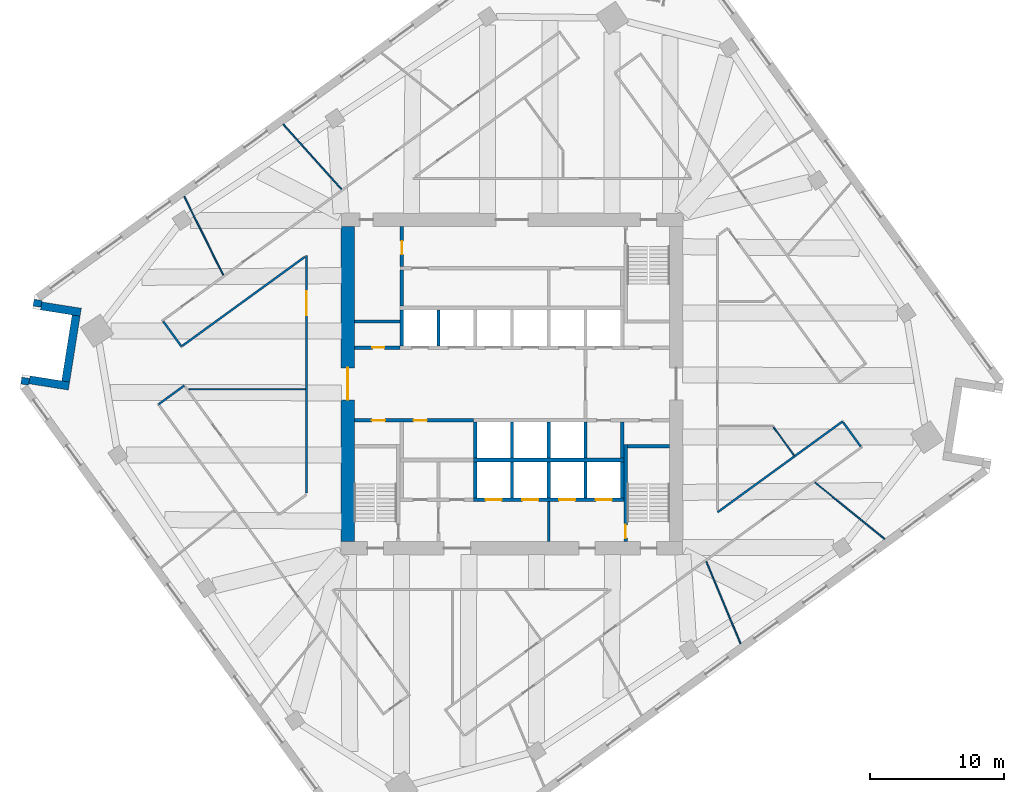
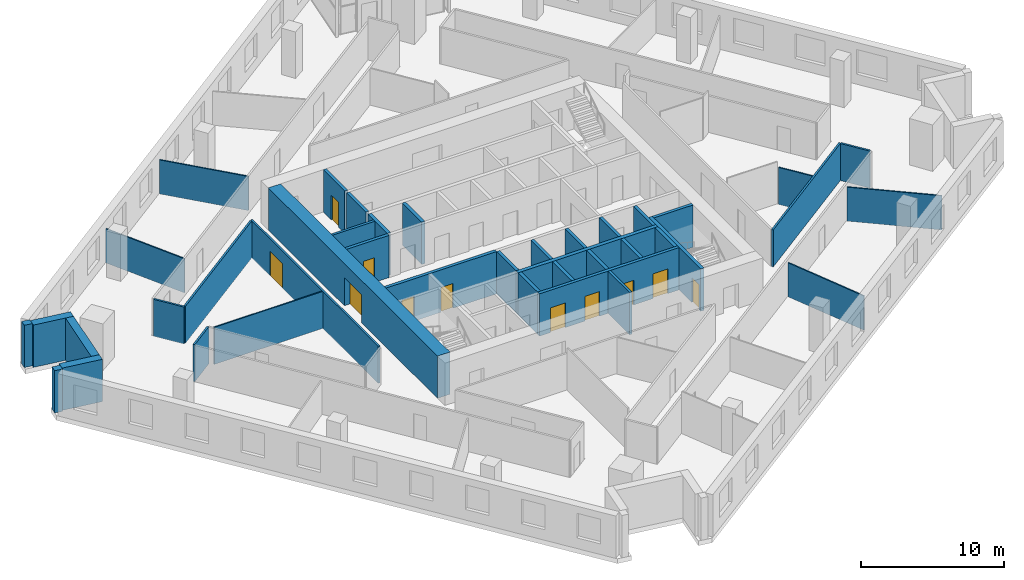
# One storey, part 6 of 11: 40 walls, 11 doors, 11 openings.
"""IFC4 building model written with IfcOpenShell, lengths in metres."""

from ifc_helpers import new_model, si_unit, direction, frame, frame_2d, origin, place, context, subcontext, project, spatial, rectangle, extrude, material, layer, layer_set, type_object, element, fill, save


model = new_model("IFC4")

# Units and contexts
model_context = context("Model", 3, precision=1e-05, world=origin(), true_north=direction((0.0, 1.0)))
body_context = subcontext(model_context, "Body", "Model", "MODEL_VIEW")
ifc_project = project(units=[si_unit("LENGTHUNIT", "METRE"), si_unit("AREAUNIT", "SQUARE_METRE"), si_unit("VOLUMEUNIT", "CUBIC_METRE"), si_unit("PLANEANGLEUNIT", "RADIAN"), si_unit("MASSUNIT", "GRAM", prefix="KILO")], contexts=[model_context])

# Site, building, storey
site_placement = place(None, origin())
site = spatial("IfcSite", under=ifc_project, at=site_placement, CompositionType="ELEMENT")
building_placement = place(site_placement, origin())
building = spatial("IfcBuilding", under=site, at=building_placement, Name="Dilmun Exchange Tower", CompositionType="ELEMENT")
storey_placement = place(building_placement, frame((0.0, 0.0, 171.699951171875)))
storey = spatial("IfcBuildingStorey", under=building, at=storey_placement, Name="L40", CompositionType="ELEMENT", Elevation=171.699951171875)

# Walls
ifc_material_1 = material(Name="Concrete C40/50", Category="concrete")
ifc_layer_1 = layer(ifc_material_1, 0.199951171875)
ifc_layer_set_1 = layer_set([ifc_layer_1], Name="Concrete C40/50")
wall_type_1 = type_object("IfcWallType", Name="Core partition wall 200", PredefinedType="PARTITIONING", material=ifc_layer_set_1)
wall_1_placement = place(storey_placement, frame((2.75, -11.794921875, 0.0), z_axis=(0.0, 0.0, 1.0), x_axis=(0.0, 1.0, 0.0)))
element("IfcWall", 1, at=wall_1_placement, inside=storey, type_object=wall_type_1, Name="L40 core partition wall 02", PredefinedType="PARTITIONING", context=body_context, shape_type="SweptSolid", body=[
    extrude(rectangle(XDim=2.989990234375, YDim=0.199951171875, at=frame_2d((1.4951171875, 0.0))), origin(), (0.0, 0.0, 1.0), 3.60009765625),
])
wall_2_placement = place(storey_placement, frame((-11.794921875, 4.675048828125, 0.0), z_axis=(0.0, 0.0, 1.0), x_axis=(1.0, 0.0, 0.0)))
element("IfcWall", 2, at=wall_2_placement, inside=storey, type_object=wall_type_1, Name="L40 core partition wall 14", PredefinedType="PARTITIONING", context=body_context, shape_type="SweptSolid", body=[
    extrude(rectangle(XDim=3.4150390625, YDim=0.199951171875, at=frame_2d((1.70751953125, 0.0))), origin(), (0.0, 0.0, 1.0), 3.60009765625),
])
ifc_layer_2 = layer(ifc_material_1, 0.25)
ifc_layer_set_2 = layer_set([ifc_layer_2], Name="Concrete C40/50")
wall_type_2 = type_object("IfcWallType", Name="Core partition wall 250", PredefinedType="PARTITIONING", material=ifc_layer_set_2)
wall_3_placement = place(storey_placement, frame((8.25, -5.544921875, 0.0), z_axis=(0.0, 0.0, 1.0), x_axis=(0.0, 1.0, 0.0)))
element("IfcWall", 3, at=wall_3_placement, inside=storey, type_object=wall_type_2, Name="L40 core partition wall 08", PredefinedType="PARTITIONING", context=body_context, shape_type="SweptSolid", body=[
    extrude(rectangle(XDim=2.68994140625, YDim=0.25, at=frame_2d((1.344970703125, 0.0))), origin(), (0.0, 0.0, 1.0), 3.60009765625),
])

# Wall, openings, doors
wall_4_placement = place(storey_placement, frame((-11.794921875, -2.72509765625, 0.0), z_axis=(0.0, 0.0, 1.0), x_axis=(1.0, 0.0, 0.0)))
wall_4 = element("IfcWall", 4, at=wall_4_placement, inside=storey, type_object=wall_type_2, Name="L40 core partition wall 09", PredefinedType="PARTITIONING", context=body_context, shape_type="SweptSolid", body=[
    extrude(rectangle(XDim=8.9150390625, YDim=0.25, at=frame_2d((4.45751953125, 0.0))), origin(), (0.0, 0.0, 1.0), 3.60009765625),
])
opening_1_placement = place(wall_4_placement, frame((1.294921875, 0.0, 0.0)))
opening_1 = element("IfcOpeningElement", 5, at=opening_1_placement, cuts=wall_4, Name="Opening CD4", PredefinedType="OPENING", context=body_context, shape_type="SweptSolid", body=[
    extrude(rectangle(XDim=1.0, YDim=2.10009765625, at=frame_2d((0.5, 1.050048828125))), frame((0.0, 0.135009765625, 0.0), z_axis=(0.0, -1.0, 0.0), x_axis=(1.0, 0.0, 0.0)), (0.0, 0.0, 1.0), 0.27001953125),
])
opening_2_placement = place(wall_4_placement, frame((4.419921875, 0.0, 0.0)))
opening_2 = element("IfcOpeningElement", 6, at=opening_2_placement, cuts=wall_4, Name="Opening CD4", PredefinedType="OPENING", context=body_context, shape_type="SweptSolid", body=[
    extrude(rectangle(XDim=1.0, YDim=2.10009765625, at=frame_2d((0.5, 1.050048828125))), frame((0.0, 0.135009765625, 0.0), z_axis=(0.0, -1.0, 0.0), x_axis=(1.0, 0.0, 0.0)), (0.0, 0.0, 1.0), 0.27001953125),
])
ifc_material_2 = material(Name="Fire-rated steel door set", Category="steel")
door_type_1 = type_object("IfcDoorType", Name="Core room door 1000x2100", OperationType="SINGLE_SWING_LEFT", PredefinedType="DOOR", material=ifc_material_2)
door_1_placement = place(opening_1_placement, origin())
door_1 = element("IfcDoor", 7, at=door_1_placement, inside=storey, type_object=door_type_1, Name="L40 door Accessible WC", OperationType="SINGLE_SWING_LEFT", OverallHeight=2.10009765625, OverallWidth=1.0, PredefinedType="DOOR", context=body_context, shape_type="SweptSolid", body=[
    extrude(rectangle(XDim=1.0, YDim=2.10009765625, at=frame_2d((0.5, 1.050048828125))), frame((0.0, 0.02490234375, 0.0), z_axis=(0.0, -1.0, 0.0), x_axis=(1.0, 0.0, 0.0)), (0.0, 0.0, 1.0), 0.050048828125),
])
fill(opening_1, door_1)
door_2_placement = place(opening_2_placement, origin())
door_2 = element("IfcDoor", 8, at=door_2_placement, inside=storey, type_object=door_type_1, Name="L40 door Switch room", OperationType="SINGLE_SWING_LEFT", OverallHeight=2.10009765625, OverallWidth=1.0, PredefinedType="DOOR", context=body_context, shape_type="SweptSolid", body=[
    extrude(rectangle(XDim=1.0, YDim=2.10009765625, at=frame_2d((0.5, 1.050048828125))), frame((0.0, 0.02490234375, 0.0), z_axis=(0.0, -1.0, 0.0), x_axis=(1.0, 0.0, 0.0)), (0.0, 0.0, 1.0), 0.050048828125),
])
fill(opening_2, door_2)

# Wall, opening, door
wall_5_placement = place(storey_placement, frame((-11.794921875, 2.72509765625, 0.0), z_axis=(0.0, 0.0, 1.0), x_axis=(1.0, 0.0, 0.0)))
wall_5 = element("IfcWall", 9, at=wall_5_placement, inside=storey, type_object=wall_type_2, Name="L40 core partition wall 12", PredefinedType="PARTITIONING", context=body_context, shape_type="SweptSolid", body=[
    extrude(rectangle(XDim=3.4150390625, YDim=0.25, at=frame_2d((1.70751953125, 0.0))), origin(), (0.0, 0.0, 1.0), 3.60009765625),
])
opening_3_placement = place(wall_5_placement, frame((1.344970703125, 0.0, 0.0)))
opening_3 = element("IfcOpeningElement", 10, at=opening_3_placement, cuts=wall_5, Name="Opening CD6", PredefinedType="OPENING", context=body_context, shape_type="SweptSolid", body=[
    extrude(rectangle(XDim=0.89990234375, YDim=2.10009765625, at=frame_2d((0.449951171875, 1.050048828125))), frame((0.0, 0.135009765625, 0.0), z_axis=(0.0, -1.0, 0.0), x_axis=(1.0, 0.0, 0.0)), (0.0, 0.0, 1.0), 0.27001953125),
])
door_type_2 = type_object("IfcDoorType", Name="Core room door 900x2100", OperationType="SINGLE_SWING_LEFT", PredefinedType="DOOR", material=ifc_material_2)
door_3_placement = place(opening_3_placement, origin())
door_3 = element("IfcDoor", 11, at=door_3_placement, inside=storey, type_object=door_type_2, Name="L40 door Plumbing riser", OperationType="SINGLE_SWING_LEFT", OverallHeight=2.10009765625, OverallWidth=0.89990234375, PredefinedType="DOOR", context=body_context, shape_type="SweptSolid", body=[
    extrude(rectangle(XDim=0.89990234375, YDim=2.10009765625, at=frame_2d((0.449951171875, 1.050048828125))), frame((0.0, 0.02490234375, 0.0), z_axis=(0.0, -1.0, 0.0), x_axis=(1.0, 0.0, 0.0)), (0.0, 0.0, 1.0), 0.050048828125),
])
fill(opening_3, door_3)

# Wall
wall_6_placement = place(storey_placement, frame((-8.25, 5.85498046875, 0.0), z_axis=(0.0, 0.0, 1.0), x_axis=(0.0, 1.0, 0.0)))
element("IfcWall", 12, at=wall_6_placement, inside=storey, type_object=wall_type_2, Name="L40 core partition wall 15", PredefinedType="PARTITIONING", context=body_context, shape_type="SweptSolid", body=[
    extrude(rectangle(XDim=2.68994140625, YDim=0.25, at=frame_2d((1.344970703125, 0.0))), origin(), (0.0, 0.0, 1.0), 3.60009765625),
])

# Wall, opening, door
wall_7_placement = place(storey_placement, frame((-8.25, 8.804931640625, 0.0), z_axis=(0.0, 0.0, 1.0), x_axis=(0.0, 1.0, 0.0)))
wall_7 = element("IfcWall", 13, at=wall_7_placement, inside=storey, type_object=wall_type_2, Name="L40 core partition wall 19", PredefinedType="PARTITIONING", context=body_context, shape_type="SweptSolid", body=[
    extrude(rectangle(XDim=2.989990234375, YDim=0.25, at=frame_2d((1.4951171875, 0.0))), origin(), (0.0, 0.0, 1.0), 3.60009765625),
])
opening_4_placement = place(wall_7_placement, frame((0.89501953125, 0.0, 0.0)))
opening_4 = element("IfcOpeningElement", 14, at=opening_4_placement, cuts=wall_7, Name="Opening CD4", PredefinedType="OPENING", context=body_context, shape_type="SweptSolid", body=[
    extrude(rectangle(XDim=1.0, YDim=2.10009765625, at=frame_2d((0.5, 1.050048828125))), frame((0.0, 0.135009765625, 0.0), z_axis=(0.0, -1.0, 0.0), x_axis=(1.0, 0.0, 0.0)), (0.0, 0.0, 1.0), 0.27001953125),
])
door_4_placement = place(opening_4_placement, origin())
door_4 = element("IfcDoor", 15, at=door_4_placement, inside=storey, type_object=door_type_1, Name="L40 door Facilities office", OperationType="SINGLE_SWING_LEFT", OverallHeight=2.10009765625, OverallWidth=1.0, PredefinedType="DOOR", context=body_context, shape_type="SweptSolid", body=[
    extrude(rectangle(XDim=1.0, YDim=2.10009765625, at=frame_2d((0.5, 1.050048828125))), frame((0.0, 0.02490234375, 0.0), z_axis=(0.0, -1.0, 0.0), x_axis=(1.0, 0.0, 0.0)), (0.0, 0.0, 1.0), 0.050048828125),
])
fill(opening_4, door_4)

ifc_material_3 = material(Name="Concrete C70/85", Category="concrete")
ifc_layer_3 = layer(ifc_material_3, 1.0)
ifc_layer_set_3 = layer_set([ifc_layer_3], Name="Concrete C70/85")
wall_type_3 = type_object("IfcWallType", Name="Core shear wall 1000 Concrete C70/85", PredefinedType="SHEAR", material=ifc_layer_set_3)
wall_8_placement = place(storey_placement, frame((-12.300048828125, -11.800048828125, 0.0), z_axis=(0.0, 0.0, 1.0), x_axis=(0.0, 1.0, 0.0)))
wall_8 = element("IfcWall", 16, at=wall_8_placement, inside=storey, type_object=wall_type_3, Name="L40 core shear wall W", PredefinedType="SHEAR", context=body_context, shape_type="SweptSolid", body=[
    extrude(rectangle(XDim=23.60009765625, YDim=1.0, at=frame_2d((11.800048828125, 0.0))), origin(), (0.0, 0.0, 1.0), 3.60009765625),
])
opening_5_placement = place(wall_8_placement, frame((10.60009765625, 0.0, 0.0)))
opening_5 = element("IfcOpeningElement", 17, at=opening_5_placement, cuts=wall_8, Name="Opening CD1", PredefinedType="OPENING", context=body_context, shape_type="SweptSolid", body=[
    extrude(rectangle(XDim=2.39990234375, YDim=2.39990234375, at=frame_2d((1.199951171875, 1.199951171875))), frame((0.0, 0.510009765625, 0.0), z_axis=(0.0, -1.0, 0.0), x_axis=(1.0, 0.0, 0.0)), (0.0, 0.0, 1.0), 1.02001953125),
])
door_type_3 = type_object("IfcDoorType", Name="Core lobby door 2400x2400", OperationType="DOUBLE_DOOR_DOUBLE_SWING", PredefinedType="DOOR", material=ifc_material_2)
door_5_placement = place(opening_5_placement, origin())
door_5 = element("IfcDoor", 18, at=door_5_placement, inside=storey, type_object=door_type_3, Name="L40 door Central lift lobby", OperationType="SINGLE_SWING_LEFT", OverallHeight=2.39990234375, OverallWidth=2.39990234375, PredefinedType="DOOR", context=body_context, shape_type="SweptSolid", body=[
    extrude(rectangle(XDim=2.39990234375, YDim=2.39990234375, at=frame_2d((1.199951171875, 1.199951171875))), frame((0.0, 0.02490234375, 0.0), z_axis=(0.0, -1.0, 0.0), x_axis=(1.0, 0.0, 0.0)), (0.0, 0.0, 1.0), 0.050048828125),
])
fill(opening_5, door_5)

# Walls
ifc_material_4 = material(Name="Corridor wall 150")
ifc_layer_4 = layer(ifc_material_4, 0.14990234375)
ifc_layer_set_4 = layer_set([ifc_layer_4], Name="Corridor wall 150")
wall_type_4 = type_object("IfcWallType", Name="Corridor wall 150", PredefinedType="PARTITIONING", material=ifc_layer_set_4)
wall_9_placement = place(storey_placement, frame((-26.48095703125, -1.528076171875, 0.0), z_axis=(0.0, 0.0, 1.0), x_axis=(0.809158191643, 0.587590861822, 0.0)))
element("IfcWall", 19, at=wall_9_placement, inside=storey, type_object=wall_type_4, Name="Corridor wall", PredefinedType="PARTITIONING", context=body_context, shape_type="SweptSolid", body=[
    extrude(rectangle(XDim=2.39990234375, YDim=0.14990234375, at=frame_2d((1.199951171875, 0.0))), origin(), (0.0, 0.0, 1.0), 3.150146484375),
])
wall_10_placement = place(storey_placement, frame((-26.121826171875, 4.688232421875, 0.0), z_axis=(0.0, 0.0, 1.0), x_axis=(0.5874596315, -0.809253471638, 0.0)))
element("IfcWall", 20, at=wall_10_placement, inside=storey, type_object=wall_type_4, Name="Corridor wall", PredefinedType="PARTITIONING", context=body_context, shape_type="SweptSolid", body=[
    extrude(rectangle(XDim=2.32470703125, YDim=0.14990234375, at=frame_2d((1.162353515625, 0.0))), origin(), (0.0, 0.0, 1.0), 3.150146484375),
])
wall_11_placement = place(storey_placement, frame((-24.6953125, 2.85107421875, 0.0), z_axis=(0.0, 0.0, 1.0), x_axis=(0.809035699289, 0.587759506326, 0.0)))
element("IfcWall", 21, at=wall_11_placement, inside=storey, type_object=wall_type_4, Name="Corridor wall", PredefinedType="PARTITIONING", context=body_context, shape_type="SweptSolid", body=[
    extrude(rectangle(XDim=11.34228515625, YDim=0.14990234375, at=frame_2d((5.671142578125, 0.0))), origin(), (0.0, 0.0, 1.0), 3.150146484375),
])

# Wall, opening, door
wall_12_placement = place(storey_placement, frame((-15.39990234375, -8.14990234375, 0.0), z_axis=(0.0, 0.0, 1.0), x_axis=(0.0, 1.0, 0.0)))
wall_12 = element("IfcWall", 22, at=wall_12_placement, inside=storey, type_object=wall_type_4, Name="Corridor wall", PredefinedType="PARTITIONING", context=body_context, shape_type="SweptSolid", body=[
    extrude(rectangle(XDim=17.75390625, YDim=0.14990234375, at=frame_2d((8.876953125, 0.0))), origin(), (0.0, 0.0, 1.0), 3.150146484375),
])
opening_6_placement = place(wall_12_placement, frame((13.304443359375, 0.0, 0.0)))
opening_6 = element("IfcOpeningElement", 23, at=opening_6_placement, cuts=wall_12, Name="Opening TF38-D01", PredefinedType="OPENING", context=body_context, shape_type="SweptSolid", body=[
    extrude(rectangle(XDim=1.800048828125, YDim=2.10009765625, at=frame_2d((0.89990234375, 1.050048828125))), frame((0.0, 0.0849609375, 0.0), z_axis=(0.0, -1.0, 0.0), x_axis=(1.0, 0.0, 0.0)), (0.0, 0.0, 1.0), 0.169921875),
])
ifc_material_5 = material(Name="Fire door pair 1800 x 2100")
door_type_4 = type_object("IfcDoorType", Name="Fire door pair 1800 x 2100", OperationType="NOTDEFINED", PredefinedType="DOOR", material=ifc_material_5)
door_6_placement = place(opening_6_placement, origin())
door_6 = element("IfcDoor", 24, at=door_6_placement, inside=storey, type_object=door_type_4, Name="Door TF38-D01", OperationType="DOUBLE_DOOR_SINGLE_SWING", OverallHeight=2.10009765625, OverallWidth=1.800048828125, PredefinedType="DOOR", context=body_context, shape_type="SweptSolid", body=[
    extrude(rectangle(XDim=1.800048828125, YDim=2.10009765625, at=frame_2d((0.89990234375, 1.050048828125))), frame((0.0, 0.02490234375, 0.0), z_axis=(0.0, -1.0, 0.0), x_axis=(1.0, 0.0, 0.0)), (0.0, 0.0, 1.0), 0.050048828125),
])
fill(opening_6, door_6)

# Walls
wall_13_placement = place(storey_placement, frame((15.39990234375, -9.60400390625, 0.0), z_axis=(0.0, 0.0, 1.0), x_axis=(0.809039975854, 0.5877536197, 0.0)))
element("IfcWall", 25, at=wall_13_placement, inside=storey, type_object=wall_type_4, Name="Corridor wall", PredefinedType="PARTITIONING", context=body_context, shape_type="SweptSolid", body=[
    extrude(rectangle(XDim=11.564453125, YDim=0.14990234375, at=frame_2d((5.7822265625, 0.0))), origin(), (0.0, 0.0, 1.0), 3.150146484375),
])
wall_14_placement = place(storey_placement, frame((24.800048828125, -2.86767578125, 0.0), z_axis=(0.0, 0.0, 1.0), x_axis=(0.587513359373, -0.809214466355, 0.0)))
element("IfcWall", 26, at=wall_14_placement, inside=storey, type_object=wall_type_4, Name="Corridor wall", PredefinedType="PARTITIONING", context=body_context, shape_type="SweptSolid", body=[
    extrude(rectangle(XDim=2.249755859375, YDim=0.14990234375, at=frame_2d((1.125, 0.0))), origin(), (0.0, 0.0, 1.0), 3.150146484375),
])
ifc_layer_5 = layer(ifc_material_1, 0.300048828125)
ifc_layer_set_5 = layer_set([ifc_layer_5], Name="Concrete C40/50")
wall_type_5 = type_object("IfcWallType", Name="Lift shaft shared wall 300", PredefinedType="SOLIDWALL", material=ifc_layer_set_5)
wall_15_placement = place(storey_placement, frame((-2.875, -5.699951171875, 0.0), z_axis=(0.0, 0.0, 1.0), x_axis=(1.0, 0.0, 0.0)))
element("IfcWall", 27, at=wall_15_placement, inside=storey, type_object=wall_type_5, Name="L40 lift shaft rear wall S", PredefinedType="SOLIDWALL", context=body_context, shape_type="SweptSolid", body=[
    extrude(rectangle(XDim=11.25, YDim=0.300048828125, at=frame_2d((5.625, 0.0))), origin(), (0.0, 0.0, 1.0), 3.60009765625),
])
ifc_layer_6 = layer(ifc_material_1, 0.25)
ifc_layer_set_6 = layer_set([ifc_layer_6], Name="Concrete C40/50")
wall_type_6 = type_object("IfcWallType", Name="Lift shaft wall 250", PredefinedType="SOLIDWALL", material=ifc_layer_set_6)
for number, where, z_axis, x_axis, name in (
    (28, (-8.25, 2.85009765625, 0.0), (0.0, 0.0, 1.0), (0.0, 1.0, 0.0), "L40 lift shaft divider N10"),
    (29, (-5.5, 2.85009765625, 0.0), (0.0, 0.0, 1.0), (0.0, 1.0, 0.0), "L40 lift shaft divider N11"),
    (30, (-2.75, -5.550048828125, 0.0), (0.0, 0.0, 1.0), (0.0, 1.0, 0.0), "L40 lift shaft divider S12"),
    (31, (0.0, -5.550048828125, 0.0), (0.0, 0.0, 1.0), (0.0, 1.0, 0.0), "L40 lift shaft divider S13"),
    (32, (2.75, -5.550048828125, 0.0), (0.0, 0.0, 1.0), (0.0, 1.0, 0.0), "L40 lift shaft divider S14"),
    (33, (5.5, -5.550048828125, 0.0), (0.0, 0.0, 1.0), (0.0, 1.0, 0.0), "L40 lift shaft divider S15"),
):
    element("IfcWall", number, at=place(storey_placement, frame(where, z_axis=z_axis, x_axis=x_axis)), inside=storey, type_object=wall_type_6, Name=name, PredefinedType="SOLIDWALL", context=body_context, shape_type="SweptSolid", body=[
        extrude(rectangle(XDim=2.699951171875, YDim=0.25, at=frame_2d((1.35009765625, 0.0))), origin(), (0.0, 0.0, 1.0), 3.60009765625),
    ])

# Wall, openings, doors
wall_16_placement = place(storey_placement, frame((-2.875, -8.675048828125, 0.0), z_axis=(0.0, 0.0, 1.0), x_axis=(1.0, 0.0, 0.0)))
wall_16 = element("IfcWall", 34, at=wall_16_placement, inside=storey, type_object=wall_type_6, Name="L40 lift shaft front wall S2", PredefinedType="SOLIDWALL", context=body_context, shape_type="SweptSolid", body=[
    extrude(rectangle(XDim=11.25, YDim=0.25, at=frame_2d((5.625, 0.0))), origin(), (0.0, 0.0, 1.0), 3.60009765625),
])
opening_7_placement = place(wall_16_placement, frame((0.89990234375, 0.0, 0.0)))
opening_7 = element("IfcOpeningElement", 35, at=opening_7_placement, cuts=wall_16, Name="Opening LD", PredefinedType="OPENING", context=body_context, shape_type="SweptSolid", body=[
    extrude(rectangle(XDim=1.199951171875, YDim=2.10009765625, at=frame_2d((0.60009765625, 1.050048828125))), frame((0.0, 0.135009765625, 0.0), z_axis=(0.0, -1.0, 0.0), x_axis=(1.0, 0.0, 0.0)), (0.0, 0.0, 1.0), 0.27001953125),
])
opening_8_placement = place(wall_16_placement, frame((3.64990234375, 0.0, 0.0)))
opening_8 = element("IfcOpeningElement", 36, at=opening_8_placement, cuts=wall_16, Name="Opening LD", PredefinedType="OPENING", context=body_context, shape_type="SweptSolid", body=[
    extrude(rectangle(XDim=1.199951171875, YDim=2.10009765625, at=frame_2d((0.60009765625, 1.050048828125))), frame((0.0, 0.135009765625, 0.0), z_axis=(0.0, -1.0, 0.0), x_axis=(1.0, 0.0, 0.0)), (0.0, 0.0, 1.0), 0.27001953125),
])
opening_9_placement = place(wall_16_placement, frame((6.39990234375, 0.0, 0.0)))
opening_9 = element("IfcOpeningElement", 37, at=opening_9_placement, cuts=wall_16, Name="Opening LD", PredefinedType="OPENING", context=body_context, shape_type="SweptSolid", body=[
    extrude(rectangle(XDim=1.199951171875, YDim=2.10009765625, at=frame_2d((0.60009765625, 1.050048828125))), frame((0.0, 0.135009765625, 0.0), z_axis=(0.0, -1.0, 0.0), x_axis=(1.0, 0.0, 0.0)), (0.0, 0.0, 1.0), 0.27001953125),
])
opening_10_placement = place(wall_16_placement, frame((9.14990234375, 0.0, 0.0)))
opening_10 = element("IfcOpeningElement", 38, at=opening_10_placement, cuts=wall_16, Name="Opening LD", PredefinedType="OPENING", context=body_context, shape_type="SweptSolid", body=[
    extrude(rectangle(XDim=1.199951171875, YDim=2.10009765625, at=frame_2d((0.60009765625, 1.050048828125))), frame((0.0, 0.135009765625, 0.0), z_axis=(0.0, -1.0, 0.0), x_axis=(1.0, 0.0, 0.0)), (0.0, 0.0, 1.0), 0.27001953125),
])
door_type_5 = type_object("IfcDoorType", Name="Lift landing door 1200x2100", OperationType="DOUBLE_DOOR_SLIDING", PredefinedType="DOOR", material=ifc_material_2)
door_7_placement = place(opening_7_placement, origin())
door_7 = element("IfcDoor", 39, at=door_7_placement, inside=storey, type_object=door_type_5, Name="L40 landing door SV1", OperationType="DOUBLE_DOOR_SLIDING", OverallHeight=2.10009765625, OverallWidth=1.199951171875, PredefinedType="DOOR", context=body_context, shape_type="SweptSolid", body=[
    extrude(rectangle(XDim=1.199951171875, YDim=2.10009765625, at=frame_2d((0.60009765625, 1.050048828125))), frame((0.0, 0.02490234375, 0.0), z_axis=(0.0, -1.0, 0.0), x_axis=(1.0, 0.0, 0.0)), (0.0, 0.0, 1.0), 0.050048828125),
])
fill(opening_7, door_7)
door_8_placement = place(opening_8_placement, origin())
door_8 = element("IfcDoor", 40, at=door_8_placement, inside=storey, type_object=door_type_5, Name="L40 landing door SV2", OperationType="DOUBLE_DOOR_SLIDING", OverallHeight=2.10009765625, OverallWidth=1.199951171875, PredefinedType="DOOR", context=body_context, shape_type="SweptSolid", body=[
    extrude(rectangle(XDim=1.199951171875, YDim=2.10009765625, at=frame_2d((0.60009765625, 1.050048828125))), frame((0.0, 0.02490234375, 0.0), z_axis=(0.0, -1.0, 0.0), x_axis=(1.0, 0.0, 0.0)), (0.0, 0.0, 1.0), 0.050048828125),
])
fill(opening_8, door_8)
door_9_placement = place(opening_9_placement, origin())
door_9 = element("IfcDoor", 41, at=door_9_placement, inside=storey, type_object=door_type_5, Name="L40 landing door FF1", OperationType="DOUBLE_DOOR_SLIDING", OverallHeight=2.10009765625, OverallWidth=1.199951171875, PredefinedType="DOOR", context=body_context, shape_type="SweptSolid", body=[
    extrude(rectangle(XDim=1.199951171875, YDim=2.10009765625, at=frame_2d((0.60009765625, 1.050048828125))), frame((0.0, 0.02490234375, 0.0), z_axis=(0.0, -1.0, 0.0), x_axis=(1.0, 0.0, 0.0)), (0.0, 0.0, 1.0), 0.050048828125),
])
fill(opening_9, door_9)
door_10_placement = place(opening_10_placement, origin())
door_10 = element("IfcDoor", 42, at=door_10_placement, inside=storey, type_object=door_type_5, Name="L40 landing door FF2", OperationType="DOUBLE_DOOR_SLIDING", OverallHeight=2.10009765625, OverallWidth=1.199951171875, PredefinedType="DOOR", context=body_context, shape_type="SweptSolid", body=[
    extrude(rectangle(XDim=1.199951171875, YDim=2.10009765625, at=frame_2d((0.60009765625, 1.050048828125))), frame((0.0, 0.02490234375, 0.0), z_axis=(0.0, -1.0, 0.0), x_axis=(1.0, 0.0, 0.0)), (0.0, 0.0, 1.0), 0.050048828125),
])
fill(opening_10, door_10)

# Walls
for number, where, z_axis, x_axis, name in (
    (43, (-2.75, -8.550048828125, 0.0), (0.0, 0.0, 1.0), (0.0, 1.0, 0.0), "L40 lift shaft divider S22"),
    (44, (0.0, -8.550048828125, 0.0), (0.0, 0.0, 1.0), (0.0, 1.0, 0.0), "L40 lift shaft divider S23"),
    (45, (2.75, -8.550048828125, 0.0), (0.0, 0.0, 1.0), (0.0, 1.0, 0.0), "L40 lift shaft divider S24"),
    (46, (5.5, -8.550048828125, 0.0), (0.0, 0.0, 1.0), (0.0, 1.0, 0.0), "L40 lift shaft divider S25"),
    (47, (8.25, -8.550048828125, 0.0), (0.0, 0.0, 1.0), (0.0, 1.0, 0.0), "L40 lift shaft divider S26"),
):
    element("IfcWall", number, at=place(storey_placement, frame(where, z_axis=z_axis, x_axis=x_axis)), inside=storey, type_object=wall_type_6, Name=name, PredefinedType="SOLIDWALL", context=body_context, shape_type="SweptSolid", body=[
        extrude(rectangle(XDim=2.699951171875, YDim=0.25, at=frame_2d((1.35009765625, 0.0))), origin(), (0.0, 0.0, 1.0), 3.60009765625),
    ])
ifc_material_6 = material(Name="Partition 100")
ifc_layer_7 = layer(ifc_material_6, 0.10009765625)
ifc_layer_set_7 = layer_set([ifc_layer_7], Name="Partition 100")
wall_type_7 = type_object("IfcWallType", Name="Partition 100", PredefinedType="PARTITIONING", material=ifc_layer_set_7)
wall_17_placement = place(storey_placement, frame((-24.549072265625, 14.05224609375, 0.0), z_axis=(0.0, 0.0, 1.0), x_axis=(0.443265486379, -0.896390377339, 0.0)))
element("IfcWall", 48, at=wall_17_placement, inside=storey, type_object=wall_type_7, Name="Partition", PredefinedType="PARTITIONING", context=body_context, shape_type="SweptSolid", body=[
    extrude(rectangle(XDim=6.586669921875, YDim=0.10009765625, at=frame_2d((3.29345703125, 0.0))), origin(), (0.0, 0.0, 1.0), 2.900146484375),
])
wall_18_placement = place(storey_placement, frame((-24.208984375, -0.39501953125, 0.0), z_axis=(0.0, 0.0, 1.0), x_axis=(1.0, 0.0, 0.0)))
element("IfcWall", 49, at=wall_18_placement, inside=storey, type_object=wall_type_7, Name="Partition", PredefinedType="PARTITIONING", context=body_context, shape_type="SweptSolid", body=[
    extrude(rectangle(XDim=8.73388671875, YDim=0.10009765625, at=frame_2d((4.366943359375, 0.0))), origin(), (0.0, 0.0, 1.0), 3.150146484375),
])
wall_19_placement = place(storey_placement, frame((-17.13623046875, 19.43798828125, 0.0), z_axis=(0.0, 0.0, 1.0), x_axis=(0.66853916977, -0.743676931526, 0.0)))
element("IfcWall", 50, at=wall_19_placement, inside=storey, type_object=wall_type_7, Name="Partition", PredefinedType="PARTITIONING", context=body_context, shape_type="SweptSolid", body=[
    extrude(rectangle(XDim=6.531005859375, YDim=0.10009765625, at=frame_2d((3.265625, 0.0))), origin(), (0.0, 0.0, 1.0), 2.900146484375),
])
wall_20_placement = place(storey_placement, frame((14.55419921875, -13.292236328125, 0.0), z_axis=(0.0, 0.0, 1.0), x_axis=(0.384012483771, -0.923327900753, 0.0)))
element("IfcWall", 51, at=wall_20_placement, inside=storey, type_object=wall_type_7, Name="Partition", PredefinedType="PARTITIONING", context=body_context, shape_type="SweptSolid", body=[
    extrude(rectangle(XDim=6.671630859375, YDim=0.10009765625, at=frame_2d((3.3359375, 0.0))), origin(), (0.0, 0.0, 1.0), 2.900146484375),
])
wall_21_placement = place(storey_placement, frame((19.589599609375, -3.2333984375, 0.0), z_axis=(0.0, 0.0, 1.0), x_axis=(0.587855456346, -0.80896598349, 0.0)))
element("IfcWall", 52, at=wall_21_placement, inside=storey, type_object=wall_type_7, Name="Partition", PredefinedType="PARTITIONING", context=body_context, shape_type="SweptSolid", body=[
    extrude(rectangle(XDim=2.616943359375, YDim=0.10009765625, at=frame_2d((1.30859375, 0.0))), origin(), (0.0, 0.0, 1.0), 3.150146484375),
])
wall_22_placement = place(storey_placement, frame((22.695556640625, -7.37841796875, 0.0), z_axis=(0.0, 0.0, 1.0), x_axis=(0.776171827552, -0.630521446197, 0.0)))
element("IfcWall", 53, at=wall_22_placement, inside=storey, type_object=wall_type_7, Name="Partition", PredefinedType="PARTITIONING", context=body_context, shape_type="SweptSolid", body=[
    extrude(rectangle(XDim=6.71484375, YDim=0.10009765625, at=frame_2d((3.357421875, 0.0))), origin(), (0.0, 0.0, 1.0), 2.900146484375),
])
ifc_material_7 = material(Name="Precast concrete C50/60", Category="concrete")
ifc_layer_8 = layer(ifc_material_7, 0.60009765625)
ifc_layer_set_8 = layer_set([ifc_layer_8], Name="Precast concrete C50/60")
wall_type_8 = type_object("IfcWallType", Name="Precast stone-clad wall 600", PredefinedType="STANDARD", material=ifc_layer_set_8)
wall_23_placement = place(storey_placement, frame((-35.497314453125, 6.296142578125, 0.0), z_axis=(0.0, 0.0, 1.0), x_axis=(-0.156649231492, -0.987654300994, 0.0)))
element("IfcWall", 54, at=wall_23_placement, inside=storey, type_object=wall_type_8, Name="Facade wall L40-04", PredefinedType="STANDARD", context=body_context, shape_type="SweptSolid", body=[
    extrude(rectangle(XDim=0.51123046875, YDim=0.60009765625, at=frame_2d((0.255615234375, 0.0))), origin(), (0.0, 0.0, 1.0), 3.60009765625),
])
wall_24_placement = place(storey_placement, frame((-35.265380859375, 5.843017578125, 0.0), z_axis=(0.0, 0.0, 1.0), x_axis=(0.987692262674, -0.156409699997, 0.0)))
element("IfcWall", 55, at=wall_24_placement, inside=storey, type_object=wall_type_8, Name="Facade wall L40-05", PredefinedType="STANDARD", context=body_context, shape_type="SweptSolid", body=[
    extrude(rectangle(XDim=3.0, YDim=0.60009765625, at=frame_2d((1.5, 0.0))), origin(), (0.0, 0.0, 1.0), 3.60009765625),
])
wall_25_placement = place(storey_placement, frame((-32.6455078125, 5.12451171875, 0.0), z_axis=(0.0, 0.0, 1.0), x_axis=(-0.156443969736, -0.987686835152, 0.0)))
element("IfcWall", 56, at=wall_25_placement, inside=storey, type_object=wall_type_8, Name="Facade wall L40-06", PredefinedType="STANDARD", context=body_context, shape_type="SweptSolid", body=[
    extrude(rectangle(XDim=5.0, YDim=0.60009765625, at=frame_2d((2.5, 0.0))), origin(), (0.0, 0.0, 1.0), 3.60009765625),
])
wall_26_placement = place(storey_placement, frame((-33.178466796875, -0.1572265625, 0.0), z_axis=(0.0, 0.0, 1.0), x_axis=(-0.987690271588, 0.156422272742, 0.0)))
element("IfcWall", 57, at=wall_26_placement, inside=storey, type_object=wall_type_8, Name="Facade wall L40-07", PredefinedType="STANDARD", context=body_context, shape_type="SweptSolid", body=[
    extrude(rectangle(XDim=2.999755859375, YDim=0.60009765625, at=frame_2d((1.5, 0.0))), origin(), (0.0, 0.0, 1.0), 3.60009765625),
])
wall_27_placement = place(storey_placement, frame((-36.422119140625, 0.457763671875, 0.0), z_axis=(0.0, 0.0, 1.0), x_axis=(-0.156575375554, -0.987666012258, 0.0)))
element("IfcWall", 58, at=wall_27_placement, inside=storey, type_object=wall_type_8, Name="Facade wall L40-08", PredefinedType="STANDARD", context=body_context, shape_type="SweptSolid", body=[
    extrude(rectangle(XDim=0.511474609375, YDim=0.60009765625, at=frame_2d((0.255859375, 0.0))), origin(), (0.0, 0.0, 1.0), 3.60009765625),
])
ifc_layer_9 = layer(ifc_material_1, 0.25)
ifc_layer_set_9 = layer_set([ifc_layer_9], Name="Concrete C40/50")
wall_type_9 = type_object("IfcWallType", Name="Stair end wall 250", PredefinedType="SOLIDWALL", material=ifc_layer_set_9)
wall_28_placement = place(storey_placement, frame((8.64990234375, -4.675048828125, 0.0), z_axis=(0.0, 0.0, 1.0), x_axis=(1.0, 0.0, 0.0)))
element("IfcWall", 59, at=wall_28_placement, inside=storey, type_object=wall_type_9, Name="L40 ST3 far wall", PredefinedType="SOLIDWALL", context=body_context, shape_type="SweptSolid", body=[
    extrude(rectangle(XDim=3.150146484375, YDim=0.25, at=frame_2d((1.5751953125, 0.0))), origin(), (0.0, 0.0, 1.0), 3.60009765625),
])

# Wall, opening, door
ifc_layer_10 = layer(ifc_material_1, 0.27490234375)
ifc_layer_set_10 = layer_set([ifc_layer_10], Name="Concrete C40/50")
wall_type_10 = type_object("IfcWallType", Name="Stair wall 275", PredefinedType="SOLIDWALL", material=ifc_layer_set_10)
wall_29_placement = place(storey_placement, frame((8.512451171875, -4.550048828125, 0.0), z_axis=(0.0, 0.0, 1.0), x_axis=(0.0, -1.0, 0.0)))
wall_29 = element("IfcWall", 60, at=wall_29_placement, inside=storey, type_object=wall_type_10, Name="L40 ST3 wall to lift block", PredefinedType="SOLIDWALL", context=body_context, shape_type="SweptSolid", body=[
    extrude(rectangle(XDim=7.25, YDim=0.27490234375, at=frame_2d((3.625, 0.0))), origin(), (0.0, 0.0, 1.0), 3.60009765625),
])
opening_11_placement = place(wall_29_placement, frame((6.0, 0.0, 0.0)))
opening_11 = element("IfcOpeningElement", 61, at=opening_11_placement, cuts=wall_29, Name="Opening CD4", PredefinedType="OPENING", context=body_context, shape_type="SweptSolid", body=[
    extrude(rectangle(XDim=1.0, YDim=2.10009765625, at=frame_2d((0.5, 1.050048828125))), frame((0.0, 0.1474609375, 0.0), z_axis=(0.0, -1.0, 0.0), x_axis=(1.0, 0.0, 0.0)), (0.0, 0.0, 1.0), 0.294921875),
])
door_11_placement = place(opening_11_placement, origin())
door_11 = element("IfcDoor", 62, at=door_11_placement, inside=storey, type_object=door_type_1, Name="L40 door ST3 from lobby", OperationType="SINGLE_SWING_LEFT", OverallHeight=2.10009765625, OverallWidth=1.0, PredefinedType="DOOR", context=body_context, shape_type="SweptSolid", body=[
    extrude(rectangle(XDim=1.0, YDim=2.10009765625, at=frame_2d((0.5, 1.050048828125))), frame((0.0, 0.02490234375, 0.0), z_axis=(0.0, -1.0, 0.0), x_axis=(1.0, 0.0, 0.0)), (0.0, 0.0, 1.0), 0.050048828125),
])
fill(opening_11, door_11)

save(model, "model.ifc")
